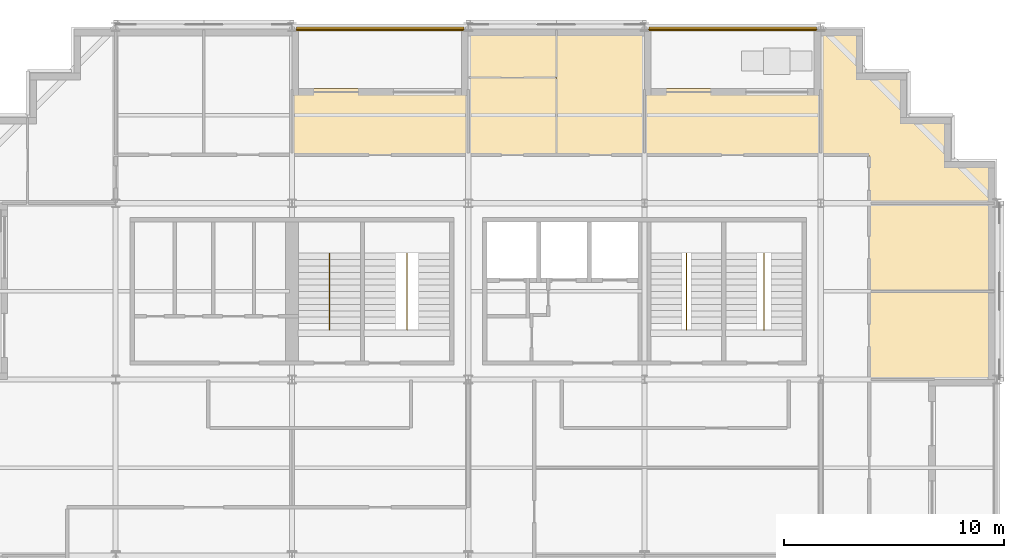
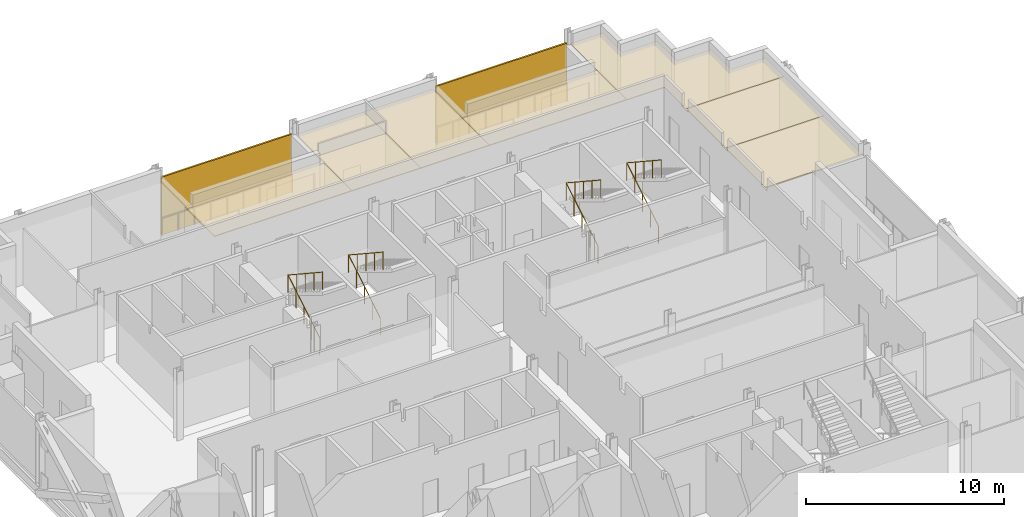
# One storey, part 14 of 15: 8 coverings, 6 railings, 2 shading devices.
"""IFC4 building model written with IfcOpenShell, lengths in metres."""

import ifcopenshell
import ifcopenshell.guid

model = None  # the IFC model being written
_history = None  # IfcOwnerHistory: only IFC2X3 demands one
_inside = {}  # id of a spatial element -> (the spatial element, [elements in it])
_under = {}  # id of a project, library or spatial element -> (it, [spatial elements below it])
_declared = {}  # id of a project -> (the project, [libraries it declares])
_typed = {}  # id of a type object -> (the type object, [elements of that type])
_made_of = {}  # id of a material, layer set ... -> (it, [elements and type objects made of it])


def new_model(schema):
    """Start an empty IFC model of exactly this schema.

    Asked for "IFC4X3", IfcOpenShell would pick the latest addendum, in which some entities
    have other attributes; the version numbers below select the first issue.
    IFC2X3 requires an IfcOwnerHistory on every rooted entity: one is made here for all.
    """
    global model, _history
    if schema == "IFC4X3":
        model = ifcopenshell.file(schema_version=(4, 3, 0, 0))
    else:
        model = ifcopenshell.file(schema=schema)
    _inside.clear()
    _under.clear()
    _declared.clear()
    _typed.clear()
    _made_of.clear()
    _history = None
    if model.schema == "IFC2X3":
        org = make("IfcOrganization", Name="unknown")
        user = make(
            "IfcPersonAndOrganization",
            ThePerson=make("IfcPerson", FamilyName="unknown"),
            TheOrganization=org,
        )
        app = make(
            "IfcApplication",
            ApplicationDeveloper=org,
            Version="unknown",
            ApplicationFullName="unknown",
            ApplicationIdentifier="unknown",
        )
        _history = make(
            "IfcOwnerHistory",
            OwningUser=user,
            OwningApplication=app,
            ChangeAction="ADDED",
            CreationDate=0,
        )
    return model


def make(cls, **values):
    """One entity of the class cls with the attributes given. An attribute that is None is left unset."""
    return model.create_entity(
        cls, **{name: value for name, value in values.items() if value is not None}
    )


def rooted(cls, **values):
    """An entity with a GlobalId (a new one), such as an element, a storey or a relation."""
    return make(cls, GlobalId=ifcopenshell.guid.new(), OwnerHistory=_history, **values)


def si_unit(unit_type, name, prefix=None):
    """IfcSIUnit, for example si_unit("LENGTHUNIT", "METRE", prefix="MILLI")."""
    return make("IfcSIUnit", UnitType=unit_type, Prefix=prefix, Name=name)


def assignment(units):
    """IfcUnitAssignment: the units of a project."""
    return None if units is None else make("IfcUnitAssignment", Units=units)


def point(xyz):
    """IfcCartesianPoint."""
    return None if xyz is None else make("IfcCartesianPoint", Coordinates=xyz)


def direction(xyz):
    """IfcDirection."""
    return None if xyz is None else make("IfcDirection", DirectionRatios=xyz)


def frame(location, z_axis=None, x_axis=None):
    """IfcAxis2Placement3D, a coordinate frame: its origin and axes. An axis left out is left unset."""
    return make(
        "IfcAxis2Placement3D",
        Location=point(location),
        Axis=direction(z_axis),
        RefDirection=direction(x_axis),
    )


def frame_2d(location, x_axis=None):
    """IfcAxis2Placement2D, a coordinate frame in the plane: its origin and x axis."""
    return make(
        "IfcAxis2Placement2D", Location=point(location), RefDirection=direction(x_axis)
    )


def origin():
    """The frame at (0, 0, 0) with its axes left unset."""
    return frame((0.0, 0.0, 0.0))


def origin_2d():
    """The frame at (0, 0) in the plane with its x axis left unset."""
    return frame_2d((0.0, 0.0))


def place(relative_to, where):
    """IfcLocalPlacement: puts the frame where relative to a parent placement (None: the world)."""
    return make(
        "IfcLocalPlacement", PlacementRelTo=relative_to, RelativePlacement=where
    )


def context(
    kind, dimensions, precision=None, world=None, true_north=None, identifier=None
):
    """IfcGeometricRepresentationContext, for example the 3D "Model" context."""
    return make(
        "IfcGeometricRepresentationContext",
        ContextIdentifier=identifier,
        ContextType=kind,
        CoordinateSpaceDimension=dimensions,
        Precision=precision,
        WorldCoordinateSystem=world,
        TrueNorth=true_north,
    )


def subcontext(parent, identifier, kind, view, scale=None):
    """IfcGeometricRepresentationSubContext, for example "Body" below "Model"."""
    return make(
        "IfcGeometricRepresentationSubContext",
        ContextIdentifier=identifier,
        ContextType=kind,
        ParentContext=parent,
        TargetScale=scale,
        TargetView=view,
    )


def project(units=None, contexts=None):
    """IfcProject with its units and contexts."""
    return rooted(
        "IfcProject",
        Name="project",
        RepresentationContexts=contexts,
        UnitsInContext=assignment(units),
    )


def spatial(cls, under=None, at=None, **own):
    """A site, building, storey or space (cls), placed at a placement, below another one or the project."""
    s = rooted(cls, ObjectPlacement=at, **own)
    if under is not None:
        _under.setdefault(under.id(), (under, []))[1].append(s)
    return s


def polyline(points):
    """IfcPolyline through the points."""
    return make("IfcPolyline", Points=[point(p) for p in points])


def profile(cls, at=None, kind="AREA", **sizes):
    """A parametric profile (cls). Its sizes go by their IFC names, for example OverallWidth=200.0."""
    return make(cls, ProfileType=kind, Position=at, **sizes)


def rectangle(**sizes):
    """IfcRectangleProfileDef."""
    return profile("IfcRectangleProfileDef", **sizes)


def circle(**sizes):
    """IfcCircleProfileDef."""
    return profile("IfcCircleProfileDef", **sizes)


def outline(outer, holes=None, kind="AREA"):
    """IfcArbitraryClosedProfileDef: a profile drawn as a closed curve; with holes, ...WithVoids."""
    if holes is None:
        return make("IfcArbitraryClosedProfileDef", ProfileType=kind, OuterCurve=outer)
    return make(
        "IfcArbitraryProfileDefWithVoids",
        ProfileType=kind,
        OuterCurve=outer,
        InnerCurves=holes,
    )


def extrude(swept, where, along, depth):
    """IfcExtrudedAreaSolid: the profile swept, set in the frame where, extruded along a direction by depth."""
    return make(
        "IfcExtrudedAreaSolid",
        SweptArea=swept,
        Position=where,
        ExtrudedDirection=direction(along),
        Depth=depth,
    )


def shape(context_of_items, identifier, shape_type, items):
    """IfcShapeRepresentation: the items that make up one representation, for example the "Body"."""
    return make(
        "IfcShapeRepresentation",
        ContextOfItems=context_of_items,
        RepresentationIdentifier=identifier,
        RepresentationType=shape_type,
        Items=items,
    )


def material(Name=None, Category=None):
    """IfcMaterial."""
    return make("IfcMaterial", Name=Name, Category=Category)


def layer(
    of_material, thickness, ventilated=None, Name=None, Category=None, Priority=None
):
    """IfcMaterialLayer: one layer of a wall or slab, of a material (None: an air gap)."""
    return make(
        "IfcMaterialLayer",
        Material=of_material,
        LayerThickness=thickness,
        IsVentilated=ventilated,
        Name=Name,
        Category=Category,
        Priority=Priority,
    )


def layer_set(layers, Name=None):
    """IfcMaterialLayerSet."""
    return make("IfcMaterialLayerSet", MaterialLayers=layers, LayerSetName=Name)


def made_of(thing, what):
    """Note that an element or type object is made of a material, layer set ...; save() writes the relation."""
    if what is not None:
        _made_of.setdefault(what.id(), (what, []))[1].append(thing)
    return thing


def type_object(cls, material=None, **own):
    """A type object (cls), such as IfcWallType, which elements share."""
    return made_of(rooted(cls, **own), material)


def element(
    cls,
    number,
    at=None,
    inside=None,
    cuts=None,
    type_object=None,
    material=None,
    context=None,
    identifier="Body",
    shape_type=None,
    held_by="IfcProductDefinitionShape",
    body=None,
    shapes=None,
    **own,
):
    """One element of the class cls, such as IfcWall. Its Tag is "e" and its number.

    at: its placement. inside: the storey or other place that contains it. cuts: it is an
    opening in that element (IfcRelVoidsElement). A single representation is given by context,
    identifier, shape_type and body (its items); several are given by shapes. held_by: the class
    of the entity that holds the representations. save() writes the other relations.
    """
    e = rooted(cls, Tag="e%d" % number, ObjectPlacement=at, **own)
    if body is not None:
        shapes = [shape(context, identifier, shape_type, body)]
    if shapes is not None:
        e.Representation = make(held_by, Representations=shapes)
    if inside is not None:
        _inside.setdefault(inside.id(), (inside, []))[1].append(e)
    if cuts is not None:
        rooted(
            "IfcRelVoidsElement", RelatingBuildingElement=cuts, RelatedOpeningElement=e
        )
    if type_object is not None:
        _typed.setdefault(type_object.id(), (type_object, []))[1].append(e)
    return made_of(e, material)


def aggregate(whole, parts):
    """IfcRelAggregates: a whole, such as a stair, and the parts it consists of."""
    return rooted("IfcRelAggregates", RelatingObject=whole, RelatedObjects=parts)


def save(model, path):
    """Write the relations noted so far, then the file.

    IfcRelAggregates (storeys below a building ...), IfcRelContainedInSpatialStructure (elements
    in a storey), IfcRelDefinesByType, IfcRelAssociatesMaterial and IfcRelDeclares: one each for
    every whole, place, type object, material and project.
    """
    for whole, parts in _under.values():
        aggregate(whole, parts)
    for where, things in _inside.values():
        rooted(
            "IfcRelContainedInSpatialStructure",
            RelatedElements=things,
            RelatingStructure=where,
        )
    for kind, things in _typed.values():
        rooted("IfcRelDefinesByType", RelatedObjects=things, RelatingType=kind)
    for what, things in _made_of.values():
        rooted("IfcRelAssociatesMaterial", RelatedObjects=things, RelatingMaterial=what)
    for by, libraries in _declared.values():
        rooted("IfcRelDeclares", RelatingContext=by, RelatedDefinitions=libraries)
    model.write(path)


model = new_model("IFC4")

# Units and contexts
model_context = context("Model", 3, precision=1e-05, world=origin(), true_north=direction((0.0, 1.0)))
body_context = subcontext(model_context, "Body", "Model", "MODEL_VIEW")
ifc_project = project(units=[si_unit("LENGTHUNIT", "METRE"), si_unit("AREAUNIT", "SQUARE_METRE"), si_unit("VOLUMEUNIT", "CUBIC_METRE"), si_unit("PLANEANGLEUNIT", "RADIAN"), si_unit("MASSUNIT", "GRAM", prefix="KILO")], contexts=[model_context])

# Site, building, storey
site_placement = place(None, origin())
site = spatial("IfcSite", under=ifc_project, at=site_placement, CompositionType="ELEMENT")
building_placement = place(site_placement, origin())
building = spatial("IfcBuilding", under=site, at=building_placement, Name="Immortelle Media Tower", CompositionType="ELEMENT")
storey_placement = place(building_placement, frame((0.0, 0.0, 100.800048828125)))
storey = spatial("IfcBuildingStorey", under=building, at=storey_placement, Name="L19", CompositionType="ELEMENT", Elevation=100.800048828125)

# Railings
ifc_material_1 = material(Name="Powder-coated aluminium fretwork panel, laminated glass backing", Category="aluminium")
railing_type_1 = type_object("IfcRailingType", Name="Fretwork balustrade 1100", PredefinedType="BALUSTRADE", material=ifc_material_1)
railing_1_placement = place(storey_placement, frame((39.8134765625, 47.860107421875, 0.0)))
element("IfcRailing", 1, at=railing_1_placement, inside=storey, type_object=railing_type_1, Name="Fretwork balustrade L19 N0", PredefinedType="BALUSTRADE", context=body_context, shape_type="SweptSolid", body=[
    extrude(circle(Radius=0.02490234375, at=origin_2d()), frame((0.0, 0.0, 1.0751953125), z_axis=(-1.0, 0.0, 0.0), x_axis=(0.0, -1.0, 0.0)), (0.0, 0.0, 1.0), 7.614013671875),
    extrude(circle(Radius=0.02001953125, at=origin_2d()), origin(), (0.0, 0.0, 1.0), 1.050048828125),
    extrude(circle(Radius=0.02001953125, at=origin_2d()), frame((-0.95166015625, 0.0, 0.0)), (0.0, 0.0, 1.0), 1.050048828125),
    extrude(circle(Radius=0.02001953125, at=origin_2d()), frame((-1.903564453125, 0.0, 0.0)), (0.0, 0.0, 1.0), 1.050048828125),
    extrude(circle(Radius=0.02001953125, at=origin_2d()), frame((-2.855224609375, 0.0, 0.0)), (0.0, 0.0, 1.0), 1.050048828125),
    extrude(circle(Radius=0.02001953125, at=origin_2d()), frame((-3.80712890625, 0.0, 0.0)), (0.0, 0.0, 1.0), 1.050048828125),
    extrude(circle(Radius=0.02001953125, at=origin_2d()), frame((-4.7587890625, 0.0, 0.0)), (0.0, 0.0, 1.0), 1.050048828125),
    extrude(circle(Radius=0.02001953125, at=origin_2d()), frame((-5.71044921875, 0.0, 0.0)), (0.0, 0.0, 1.0), 1.050048828125),
    extrude(circle(Radius=0.02001953125, at=origin_2d()), frame((-6.662353515625, 0.0, 0.0)), (0.0, 0.0, 1.0), 1.050048828125),
    extrude(circle(Radius=0.02001953125, at=origin_2d()), frame((-7.614013671875, 0.0, 0.0)), (0.0, 0.0, 1.0), 1.050048828125),
])
railing_2_placement = place(storey_placement, frame((23.800537109375, 47.860107421875, 0.0)))
element("IfcRailing", 2, at=railing_2_placement, inside=storey, type_object=railing_type_1, Name="Fretwork balustrade L19 N2", PredefinedType="BALUSTRADE", context=body_context, shape_type="SweptSolid", body=[
    extrude(circle(Radius=0.02490234375, at=origin_2d()), frame((0.0, 0.0, 1.0751953125), z_axis=(-1.0, 0.0, 0.0), x_axis=(0.0, -1.0, 0.0)), (0.0, 0.0, 1.0), 7.59765625),
    extrude(circle(Radius=0.02001953125, at=origin_2d()), origin(), (0.0, 0.0, 1.0), 1.050048828125),
    extrude(circle(Radius=0.02001953125, at=origin_2d()), frame((-0.94970703125, 0.0, 0.0)), (0.0, 0.0, 1.0), 1.050048828125),
    extrude(circle(Radius=0.02001953125, at=origin_2d()), frame((-1.8994140625, 0.0, 0.0)), (0.0, 0.0, 1.0), 1.050048828125),
    extrude(circle(Radius=0.02001953125, at=origin_2d()), frame((-2.84912109375, 0.0, 0.0)), (0.0, 0.0, 1.0), 1.050048828125),
    extrude(circle(Radius=0.02001953125, at=origin_2d()), frame((-3.798828125, 0.0, 0.0)), (0.0, 0.0, 1.0), 1.050048828125),
    extrude(circle(Radius=0.02001953125, at=origin_2d()), frame((-4.74853515625, 0.0, 0.0)), (0.0, 0.0, 1.0), 1.050048828125),
    extrude(circle(Radius=0.02001953125, at=origin_2d()), frame((-5.6982421875, 0.0, 0.0)), (0.0, 0.0, 1.0), 1.050048828125),
    extrude(circle(Radius=0.02001953125, at=origin_2d()), frame((-6.64794921875, 0.0, 0.0)), (0.0, 0.0, 1.0), 1.050048828125),
    extrude(circle(Radius=0.02001953125, at=origin_2d()), frame((-7.59765625, 0.0, 0.0)), (0.0, 0.0, 1.0), 1.050048828125),
])

# Shading devices
ifc_material_2 = material(Name="Pale aluminium louvre blades", Category="aluminium")
ifc_layer_1 = layer(ifc_material_2, 0.10009765625)
ifc_layer_set_1 = layer_set([ifc_layer_1], Name="Pale aluminium louvre blades")
shading_device_type = type_object("IfcShadingDeviceType", Name="Jalousie screen 100", PredefinedType="JALOUSIE", material=ifc_layer_set_1)
shading_device_1_placement = place(storey_placement, frame((36.006591796875, 47.949951171875, 0.0), z_axis=(0.0, 0.0, 1.0), x_axis=(-1.0, 0.0, 0.0)))
element("IfcShadingDevice", 3, at=shading_device_1_placement, inside=storey, type_object=shading_device_type, Name="Jalousie screen L19 N0", PredefinedType="JALOUSIE", context=body_context, shape_type="SweptSolid", body=[
    extrude(rectangle(XDim=7.614013671875, YDim=0.10009765625, at=origin_2d()), origin(), (0.0, 0.0, 1.0), 3.556884765625),
])
shading_device_2_placement = place(storey_placement, frame((20.001708984375, 47.949951171875, 0.0), z_axis=(0.0, 0.0, 1.0), x_axis=(-1.0, 0.0, 0.0)))
element("IfcShadingDevice", 4, at=shading_device_2_placement, inside=storey, type_object=shading_device_type, Name="Jalousie screen L19 N2", PredefinedType="JALOUSIE", context=body_context, shape_type="SweptSolid", body=[
    extrude(rectangle(XDim=7.597412109375, YDim=0.10009765625, at=origin_2d()), origin(), (0.0, 0.0, 1.0), 3.556884765625),
])

# Railings
ifc_material_3 = material(Name="Stainless steel AISI 316", Category="steel")
railing_type_2 = type_object("IfcRailingType", Name="Stair guard 1100", PredefinedType="GUARDRAIL", material=ifc_material_3)
for number, where, name in (
    (5, (17.699951171875, 34.5400390625, 0.176025390625), "Stair guard NW1"),
    (6, (21.22509765625, 34.5400390625, 0.176025390625), "Stair guard NW2"),
    (7, (33.89990234375, 34.5400390625, 0.176025390625), "Stair guard NE1"),
    (8, (37.425048828125, 34.5400390625, 0.176025390625), "Stair guard NE2"),
):
    element("IfcRailing", number, at=place(storey_placement, frame(where)), inside=storey, type_object=railing_type_2, Name=name, PredefinedType="GUARDRAIL", context=body_context, shape_type="SweptSolid", body=[
        extrude(circle(Radius=0.02392578125, at=origin_2d()), frame((0.0, 0.0, 1.076171875), z_axis=(0.0, 0.854872504309, 0.518838126371), x_axis=(-1.0, 0.0, 0.0)), (0.0, 0.0, 1.0), 3.7314453125),
        extrude(circle(Radius=0.02392578125, at=origin_2d()), frame((0.0, 3.18994140625, 3.01220703125), z_axis=(0.0, -0.835595538677, 0.549345151743), x_axis=(1.0, 0.0, 0.0)), (0.0, 0.0, 1.0), 4.16455078125),
        extrude(circle(Radius=0.02099609375, at=origin_2d()), origin(), (0.0, 0.0, 1.0), 1.052001953125),
        extrude(circle(Radius=0.02099609375, at=origin_2d()), frame((0.0, 0.79736328125, 0.48388671875)), (0.0, 0.0, 1.0), 1.052001953125),
        extrude(circle(Radius=0.02099609375, at=origin_2d()), frame((0.0, 1.594970703125, 0.968017578125)), (0.0, 0.0, 1.0), 1.052001953125),
        extrude(circle(Radius=0.02099609375, at=origin_2d()), frame((0.0, 2.392578125, 1.4521484375)), (0.0, 0.0, 1.0), 1.052001953125),
        extrude(circle(Radius=0.02099609375, at=origin_2d()), frame((0.0, 3.18994140625, 1.93603515625)), (0.0, 0.0, 1.0), 1.052001953125),
        extrude(circle(Radius=0.02099609375, at=origin_2d()), frame((0.0, 2.31982421875, 2.508056640625)), (0.0, 0.0, 1.0), 1.052001953125),
        extrude(circle(Radius=0.02099609375, at=origin_2d()), frame((0.0, 1.449951171875, 3.080078125)), (0.0, 0.0, 1.0), 1.052001953125),
        extrude(circle(Radius=0.02099609375, at=origin_2d()), frame((0.0, 0.580078125, 3.65185546875)), (0.0, 0.0, 1.0), 1.052001953125),
        extrude(circle(Radius=0.02099609375, at=origin_2d()), frame((0.0, -0.2900390625, 4.223876953125)), (0.0, 0.0, 1.0), 1.052001953125),
    ])

# Coverings
ifc_material_4 = material(Name="Mineral fibre tile ceiling")
ifc_layer_2 = layer(ifc_material_4, 0.050048828125)
ifc_layer_set_2 = layer_set([ifc_layer_2], Name="Mineral fibre tile ceiling")
covering_type = type_object("IfcCoveringType", Name="Suspended ceiling 50", PredefinedType="CEILING", material=ifc_layer_set_2)
covering_1_placement = place(storey_placement, frame((0.0, 0.0, 3.419921875)))
element("IfcCovering", 9, at=covering_1_placement, inside=storey, type_object=covering_type, Name="Ceiling L19-023", PredefinedType="CEILING", context=body_context, shape_type="SweptSolid", body=[
    extrude(outline(polyline([(42.199951171875, 32.0), (42.199951171875, 36.0), (47.89990234375, 36.0), (47.89990234375, 32.0), (45.199951171875, 32.0), (42.199951171875, 32.0)])), origin(), (0.0, 0.0, 1.0), 0.050048828125),
])
covering_2_placement = place(storey_placement, frame((0.0, 0.0, 3.419921875)))
element("IfcCovering", 10, at=covering_2_placement, inside=storey, type_object=covering_type, Name="Ceiling L19-024", PredefinedType="CEILING", context=body_context, shape_type="SweptSolid", body=[
    extrude(outline(polyline([(42.199951171875, 40.0), (47.89990234375, 40.0), (47.89990234375, 36.0), (42.199951171875, 36.0), (42.199951171875, 40.0)])), origin(), (0.0, 0.0, 1.0), 0.050048828125),
])
covering_3_placement = place(storey_placement, frame((0.0, 0.0, 3.419921875)))
element("IfcCovering", 11, at=covering_3_placement, inside=storey, type_object=covering_type, Name="Ceiling L19-027", PredefinedType="CEILING", context=body_context, shape_type="SweptSolid", body=[
    extrude(outline(polyline([(42.199951171875, 40.0), (42.199951171875, 42.199951171875), (40.0, 42.199951171875), (40.0, 45.199951171875), (40.0, 47.89990234375), (41.89990234375, 47.89990234375), (41.89990234375, 45.89990234375), (43.89990234375, 45.89990234375), (43.89990234375, 43.89990234375), (45.89990234375, 43.89990234375), (45.89990234375, 41.89990234375), (47.89990234375, 41.89990234375), (47.89990234375, 40.0), (42.199951171875, 40.0)])), origin(), (0.0, 0.0, 1.0), 0.050048828125),
])
covering_4_placement = place(storey_placement, frame((0.0, 0.0, 3.419921875)))
element("IfcCovering", 12, at=covering_4_placement, inside=storey, type_object=covering_type, Name="Ceiling L19-028", PredefinedType="CEILING", context=body_context, shape_type="SweptSolid", body=[
    extrude(outline(polyline([(16.0, 42.199951171875), (16.0, 45.199951171875), (24.0, 45.199951171875), (24.0, 42.199951171875), (16.0, 42.199951171875)])), origin(), (0.0, 0.0, 1.0), 0.050048828125),
])
covering_5_placement = place(storey_placement, frame((0.0, 0.0, 3.419921875)))
element("IfcCovering", 13, at=covering_5_placement, inside=storey, type_object=covering_type, Name="Ceiling L19-029", PredefinedType="CEILING", context=body_context, shape_type="SweptSolid", body=[
    extrude(outline(polyline([(32.0, 42.199951171875), (32.0, 45.199951171875), (40.0, 45.199951171875), (40.0, 42.199951171875), (32.0, 42.199951171875)])), origin(), (0.0, 0.0, 1.0), 0.050048828125),
])
covering_6_placement = place(storey_placement, frame((0.0, 0.0, 3.419921875)))
element("IfcCovering", 14, at=covering_6_placement, inside=storey, type_object=covering_type, Name="Ceiling L19-032", PredefinedType="CEILING", context=body_context, shape_type="SweptSolid", body=[
    extrude(outline(polyline([(24.0, 45.699951171875), (28.0, 45.699951171875), (28.0, 42.199951171875), (24.0, 42.199951171875), (24.0, 45.199951171875), (24.0, 45.699951171875)])), origin(), (0.0, 0.0, 1.0), 0.050048828125),
])
covering_7_placement = place(storey_placement, frame((0.0, 0.0, 3.419921875)))
element("IfcCovering", 15, at=covering_7_placement, inside=storey, type_object=covering_type, Name="Ceiling L19-033", PredefinedType="CEILING", context=body_context, shape_type="SweptSolid", body=[
    extrude(outline(polyline([(24.0, 47.89990234375), (28.0, 47.89990234375), (28.0, 45.699951171875), (24.0, 45.699951171875), (24.0, 47.89990234375)])), origin(), (0.0, 0.0, 1.0), 0.050048828125),
])
covering_8_placement = place(storey_placement, frame((0.0, 0.0, 3.419921875)))
element("IfcCovering", 16, at=covering_8_placement, inside=storey, type_object=covering_type, Name="Ceiling L19-034", PredefinedType="CEILING", context=body_context, shape_type="SweptSolid", body=[
    extrude(outline(polyline([(32.0, 47.89990234375), (32.0, 45.199951171875), (32.0, 42.199951171875), (28.0, 42.199951171875), (28.0, 47.89990234375), (32.0, 47.89990234375)])), origin(), (0.0, 0.0, 1.0), 0.050048828125),
])

save(model, "model.ifc")
